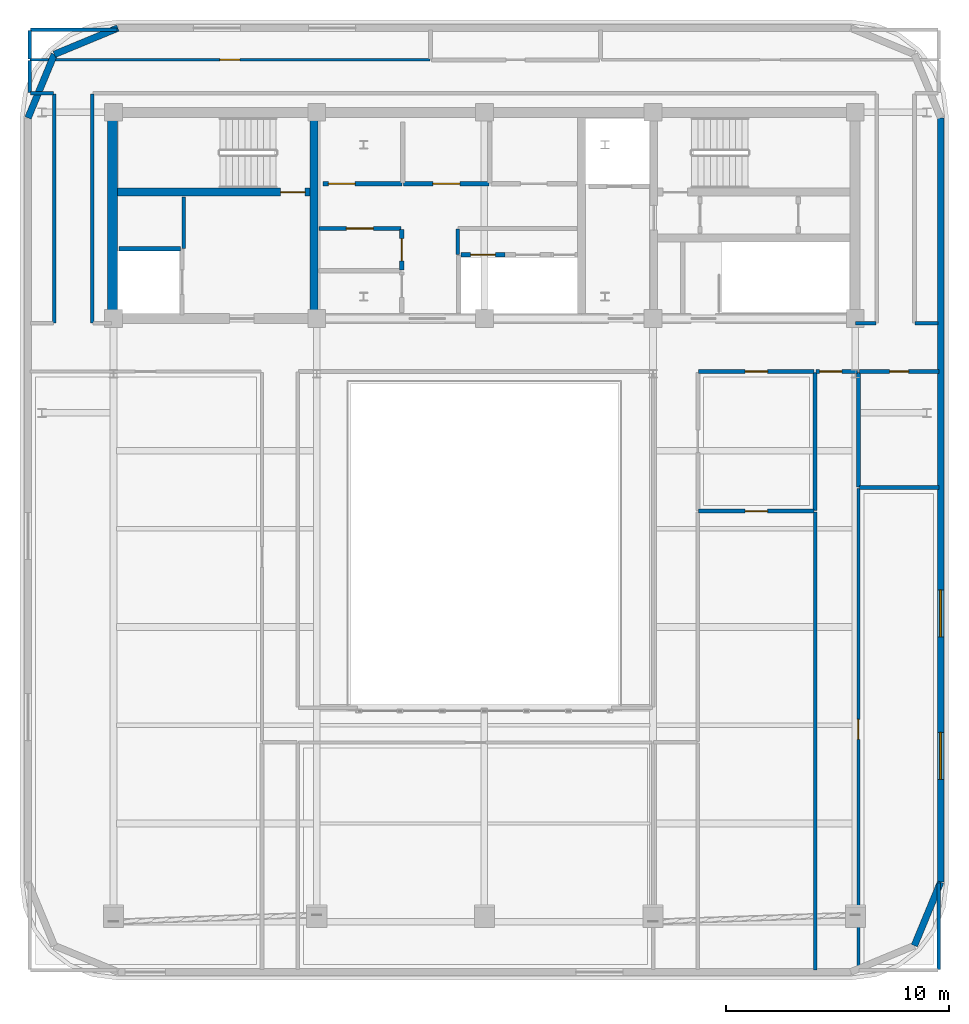
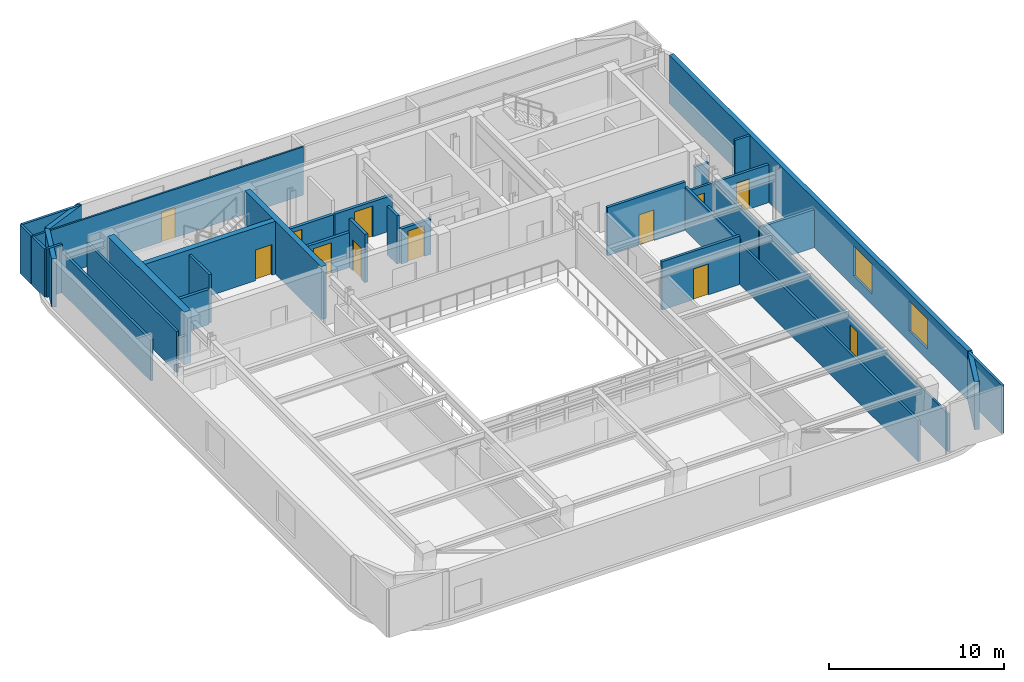
# One storey, part 7 of 11: 34 walls, 12 doors, 2 windows, 14 openings.
"""IFC4 building model written with IfcOpenShell, lengths in metres."""

from ifc_helpers import new_model, si_unit, direction, frame, frame_2d, origin, place, context, subcontext, project, spatial, rectangle, extrude, material, layer, layer_set, type_object, element, fill, save


model = new_model("IFC4")

# Units and contexts
model_context = context("Model", 3, precision=1e-05, world=origin(), true_north=direction((0.0, 1.0)))
body_context = subcontext(model_context, "Body", "Model", "MODEL_VIEW")
ifc_project = project(units=[si_unit("LENGTHUNIT", "METRE"), si_unit("AREAUNIT", "SQUARE_METRE"), si_unit("VOLUMEUNIT", "CUBIC_METRE"), si_unit("PLANEANGLEUNIT", "RADIAN"), si_unit("MASSUNIT", "GRAM", prefix="KILO")], contexts=[model_context])

# Site, building, storey
site_placement = place(None, origin())
site = spatial("IfcSite", under=ifc_project, at=site_placement, CompositionType="ELEMENT")
building_placement = place(site_placement, origin())
building = spatial("IfcBuilding", under=site, at=building_placement, Name="Zarnavel Station Tower", CompositionType="ELEMENT")
storey_placement = place(building_placement, frame((0.0, 0.0, 276.89990234375)))
storey = spatial("IfcBuildingStorey", under=building, at=storey_placement, Name="L75", CompositionType="ELEMENT", Elevation=276.89990234375)

# Wall
ifc_material_1 = material(Name="Concrete C50/60", Category="concrete")
ifc_layer_1 = layer(ifc_material_1, 0.35009765625)
ifc_layer_set_1 = layer_set([ifc_layer_1], Name="CW_350")
wall_type_1 = type_object("IfcWallType", Name="CW_350", PredefinedType="SHEAR", material=ifc_layer_set_1)
wall_1_placement = place(storey_placement, frame((21.179931640625, 28.044921875, 0.0), z_axis=(0.0, 0.0, 1.0), x_axis=(0.0, 1.0, 0.0)))
element("IfcWall", 1, at=wall_1_placement, inside=storey, type_object=wall_type_1, Name="L75 Rear Core Shear Wall DIV-W", PredefinedType="SHEAR", context=body_context, shape_type="SweptSolid", body=[
    extrude(rectangle(XDim=8.780029296875, YDim=0.35009765625, at=frame_2d((4.39013671875, 0.0))), origin(), (0.0, 0.0, 1.0), 3.7001953125),
])

# Wall, opening, door
wall_2_placement = place(storey_placement, frame((21.0048828125, 33.47998046875, 0.0), z_axis=(0.0, 0.0, 1.0), x_axis=(-1.0, 0.0, 0.0)))
wall_2 = element("IfcWall", 2, at=wall_2_placement, inside=storey, type_object=wall_type_1, Name="L75 Rear Core Shear Wall DIV-H1", PredefinedType="SHEAR", context=body_context, shape_type="SweptSolid", body=[
    extrude(rectangle(XDim=8.6298828125, YDim=0.35009765625, at=frame_2d((4.31494140625, 0.0))), origin(), (0.0, 0.0, 1.0), 3.7001953125),
])
opening_1_placement = place(wall_2_placement, frame((0.219970703125, 0.0, 0.0)))
opening_1 = element("IfcOpeningElement", 3, at=opening_1_placement, cuts=wall_2, Name="Opening FD01", PredefinedType="OPENING", context=body_context, shape_type="SweptSolid", body=[
    extrude(rectangle(XDim=1.10009765625, YDim=2.14990234375, at=frame_2d((0.550048828125, 1.074951171875))), frame((0.0, 0.18505859375, 0.0), z_axis=(0.0, -1.0, 0.0), x_axis=(1.0, 0.0, 0.0)), (0.0, 0.0, 1.0), 0.3701171875),
])
ifc_material_2 = material(Name="Painted Galvanised Steel and Hardwood Leaf", Category="steel")
door_type_1 = type_object("IfcDoorType", Name="ID_STAIR_1100", OperationType="NOTDEFINED", PredefinedType="DOOR", material=ifc_material_2)
door_1_placement = place(opening_1_placement, origin())
door_1 = element("IfcDoor", 4, at=door_1_placement, inside=storey, type_object=door_type_1, Name="L75 Stair ST1 Lobby Fire Door", OperationType="SINGLE_SWING_LEFT", OverallHeight=2.14990234375, OverallWidth=1.10009765625, PredefinedType="DOOR", context=body_context, shape_type="SweptSolid", body=[
    extrude(rectangle(XDim=1.10009765625, YDim=2.14990234375, at=frame_2d((0.550048828125, 1.074951171875))), frame((0.0, 0.02490234375, 0.0), z_axis=(0.0, -1.0, 0.0), x_axis=(1.0, 0.0, 0.0)), (0.0, 0.0, 1.0), 0.050048828125),
])
fill(opening_1, door_1)

# Walls
ifc_material_3 = material(Name="Concrete C50/60", Category="concrete")
ifc_layer_2 = layer(ifc_material_3, 0.449951171875)
ifc_layer_set_2 = layer_set([ifc_layer_2], Name="CW_450")
wall_type_2 = type_object("IfcWallType", Name="CW_450", PredefinedType="SHEAR", material=ifc_layer_set_2)
wall_3_placement = place(storey_placement, frame((12.14990234375, 28.044921875, 0.0), z_axis=(0.0, 0.0, 1.0), x_axis=(0.0, 1.0, 0.0)))
element("IfcWall", 5, at=wall_3_placement, inside=storey, type_object=wall_type_2, Name="L75 Rear Core Shear Wall W", PredefinedType="SHEAR", context=body_context, shape_type="SweptSolid", body=[
    extrude(rectangle(XDim=8.780029296875, YDim=0.449951171875, at=frame_2d((4.39013671875, 0.0))), origin(), (0.0, 0.0, 1.0), 3.7001953125),
])
ifc_material_4 = material(Name="Precast concrete C45/55 (Dark Basalt Finish)", Category="masonry")
ifc_layer_3 = layer(ifc_material_4, 0.300048828125)
ifc_layer_set_3 = layer_set([ifc_layer_3], Name="EW_BASALT_300")
wall_type_3 = type_object("IfcWallType", Name="EW_BASALT_300", PredefinedType="SOLIDWALL", material=ifc_layer_set_3)
wall_4_placement = place(storey_placement, frame((49.219970703125, 2.60009765625, 0.0), z_axis=(0.0, 0.0, 1.0), x_axis=(-0.382676475685, -0.923882414032, 0.0)))
element("IfcWall", 6, at=wall_4_placement, inside=storey, type_object=wall_type_3, Name="L75 Exterior Basalt Masonry Frame Wall 02", PredefinedType="SOLIDWALL", context=body_context, shape_type="SweptSolid", body=[
    extrude(rectangle(XDim=3.076904296875, YDim=0.300048828125, at=frame_2d((1.53857421875, 0.0))), origin(), (0.0, 0.0, 1.0), 3.380126953125),
])

# Wall, openings, windows
wall_5_placement = place(storey_placement, frame((49.219970703125, 36.800048828125, 0.0), z_axis=(0.0, 0.0, 1.0), x_axis=(0.0, -1.0, 0.0)))
wall_5 = element("IfcWall", 7, at=wall_5_placement, inside=storey, type_object=wall_type_3, Name="L75 Exterior Basalt Masonry Frame Wall 03", PredefinedType="SOLIDWALL", context=body_context, shape_type="SweptSolid", body=[
    extrude(rectangle(XDim=34.199951171875, YDim=0.300048828125, at=frame_2d((17.10009765625, 0.0))), origin(), (0.0, 0.0, 1.0), 3.380126953125),
])
opening_2_placement = place(wall_5_placement, frame((21.126708984375, 0.0, 0.75)))
opening_2 = element("IfcOpeningElement", 8, at=opening_2_placement, cuts=wall_5, Name="Opening WN05", PredefinedType="OPENING", context=body_context, shape_type="SweptSolid", body=[
    extrude(rectangle(XDim=2.10009765625, YDim=2.10009765625, at=frame_2d((1.050048828125, 1.050048828125))), frame((0.0, 0.159912109375, 0.0), z_axis=(0.0, -1.0, 0.0), x_axis=(1.0, 0.0, 0.0)), (0.0, 0.0, 1.0), 0.320068359375),
])
opening_3_placement = place(wall_5_placement, frame((27.50341796875, 0.0, 0.75)))
opening_3 = element("IfcOpeningElement", 9, at=opening_3_placement, cuts=wall_5, Name="Opening WN05", PredefinedType="OPENING", context=body_context, shape_type="SweptSolid", body=[
    extrude(rectangle(XDim=2.10009765625, YDim=2.10009765625, at=frame_2d((1.050048828125, 1.050048828125))), frame((0.0, 0.159912109375, 0.0), z_axis=(0.0, -1.0, 0.0), x_axis=(1.0, 0.0, 0.0)), (0.0, 0.0, 1.0), 0.320068359375),
])
ifc_material_5 = material(Name="Thermally Broken Black Aluminium and Low-E Dark Glass", Category="aluminium")
window_type = type_object("IfcWindowType", Name="WN_2100x2100", PartitioningType="TRIPLE_PANEL_VERTICAL", PredefinedType="WINDOW", material=ifc_material_5)
window_1_placement = place(opening_2_placement, origin())
window_1 = element("IfcWindow", 10, at=window_1_placement, inside=storey, type_object=window_type, Name="L75 Recessed Facade Window 01", OverallHeight=2.10009765625, OverallWidth=2.10009765625, PartitioningType="SINGLE_PANEL", PredefinedType="WINDOW", context=body_context, shape_type="SweptSolid", body=[
    extrude(rectangle(XDim=2.10009765625, YDim=2.10009765625, at=frame_2d((1.050048828125, 1.050048828125))), frame((0.0, 0.030029296875, 0.0), z_axis=(0.0, -1.0, 0.0), x_axis=(1.0, 0.0, 0.0)), (0.0, 0.0, 1.0), 0.06005859375),
])
fill(opening_2, window_1)
window_2_placement = place(opening_3_placement, origin())
window_2 = element("IfcWindow", 11, at=window_2_placement, inside=storey, type_object=window_type, Name="L75 Recessed Facade Window 02", OverallHeight=2.10009765625, OverallWidth=2.10009765625, PartitioningType="SINGLE_PANEL", PredefinedType="WINDOW", context=body_context, shape_type="SweptSolid", body=[
    extrude(rectangle(XDim=2.10009765625, YDim=2.10009765625, at=frame_2d((1.050048828125, 1.050048828125))), frame((0.0, 0.030029296875, 0.0), z_axis=(0.0, -1.0, 0.0), x_axis=(1.0, 0.0, 0.0)), (0.0, 0.0, 1.0), 0.06005859375),
])
fill(opening_3, window_2)

# Walls
for number, where, z_axis, x_axis, name in (
    (12, (9.557373046875, 39.642578125, 0.0), (0.0, 0.0, 1.0), (0.923870793506, 0.382704529509, 0.0), "L75 Exterior Basalt Masonry Frame Wall 07"),
    (13, (8.3798828125, 36.800048828125, 0.0), (0.0, 0.0, 1.0), (0.382704529509, 0.923870793506, 0.0), "L75 Exterior Basalt Masonry Frame Wall 08"),
):
    element("IfcWall", number, at=place(storey_placement, frame(where, z_axis=z_axis, x_axis=x_axis)), inside=storey, type_object=wall_type_3, Name=name, PredefinedType="SOLIDWALL", context=body_context, shape_type="SweptSolid", body=[
        extrude(rectangle(XDim=3.07666015625, YDim=0.300048828125, at=frame_2d((1.538330078125, 0.0))), origin(), (0.0, 0.0, 1.0), 3.380126953125),
    ])

# Wall, opening, door
ifc_material_6 = material(Name="Gypsum Twin-Stud Acoustic Fire Partition", Category="concrete")
ifc_layer_4 = layer(ifc_material_6, 0.159912109375)
ifc_layer_set_4 = layer_set([ifc_layer_4], Name="PT_DEMISE_160")
wall_type_4 = type_object("IfcWallType", Name="PT_DEMISE_160", PredefinedType="PARTITIONING", material=ifc_layer_set_4)
wall_6_placement = place(storey_placement, frame((43.639892578125, 25.449951171875, 0.0), z_axis=(0.0, 0.0, 1.0), x_axis=(1.0, 0.0, 0.0)))
wall_6 = element("IfcWall", 14, at=wall_6_placement, inside=storey, type_object=wall_type_4, Name="L75 Partition COR-S-SPDR", PredefinedType="PARTITIONING", context=body_context, shape_type="SweptSolid", body=[
    extrude(rectangle(XDim=1.860107421875, YDim=0.159912109375, at=frame_2d((0.93017578125, 0.0))), origin(), (0.0, 0.0, 1.0), 2.66015625),
])
opening_4_placement = place(wall_6_placement, frame((0.164306640625, 0.0, 0.0)))
opening_4 = element("IfcOpeningElement", 15, at=opening_4_placement, cuts=wall_6, Name="Opening FD02", PredefinedType="OPENING", context=body_context, shape_type="SweptSolid", body=[
    extrude(rectangle(XDim=1.0, YDim=2.14990234375, at=frame_2d((0.5, 1.074951171875))), frame((0.0, 0.08984375, 0.0), z_axis=(0.0, -1.0, 0.0), x_axis=(1.0, 0.0, 0.0)), (0.0, 0.0, 1.0), 0.179931640625),
])
ifc_material_7 = material(Name="Painted Galvanised Steel and Hardwood Leaf", Category="steel")
door_type_2 = type_object("IfcDoorType", Name="ID_ENTRY_1000", OperationType="NOTDEFINED", PredefinedType="DOOR", material=ifc_material_7)
door_2_placement = place(opening_4_placement, origin())
door_2 = element("IfcDoor", 16, at=door_2_placement, inside=storey, type_object=door_type_2, Name="L75 Door COR-S-SPDR", OperationType="SINGLE_SWING_RIGHT", OverallHeight=2.14990234375, OverallWidth=1.0, PredefinedType="DOOR", context=body_context, shape_type="SweptSolid", body=[
    extrude(rectangle(XDim=1.0, YDim=2.14990234375, at=frame_2d((0.5, 1.074951171875))), frame((0.0, 0.02490234375, 0.0), z_axis=(0.0, -1.0, 0.0), x_axis=(1.0, 0.0, 0.0)), (0.0, 0.0, 1.0), 0.050048828125),
])
fill(opening_4, door_2)

# Walls
wall_7_placement = place(storey_placement, frame((43.60009765625, -1.340087890625, 0.0), z_axis=(0.0, 0.0, 1.0), x_axis=(0.0, 1.0, 0.0)))
element("IfcWall", 17, at=wall_7_placement, inside=storey, type_object=wall_type_4, Name="L75 Partition SSTR-SPDR", PredefinedType="PARTITIONING", context=body_context, shape_type="SweptSolid", body=[
    extrude(rectangle(XDim=20.5, YDim=0.159912109375, at=frame_2d((10.25, 0.0))), origin(), (0.0, 0.0, 1.0), 2.860107421875),
])
wall_8_placement = place(storey_placement, frame((15.35009765625, 30.9599609375, 0.0), z_axis=(0.0, 0.0, 1.0), x_axis=(0.0, 1.0, 0.0)))
element("IfcWall", 18, at=wall_8_placement, inside=storey, type_object=wall_type_4, Name="L75 Enclosure Wall FFL1", PredefinedType="PARTITIONING", context=body_context, shape_type="SweptSolid", body=[
    extrude(rectangle(XDim=2.31005859375, YDim=0.159912109375, at=frame_2d((1.155029296875, 0.0))), origin(), (0.0, 0.0, 1.0), 3.380126953125),
])
wall_9_placement = place(storey_placement, frame((27.60009765625, 30.679931640625, 0.0), z_axis=(0.0, 0.0, 1.0), x_axis=(0.0, 1.0, 0.0)))
element("IfcWall", 19, at=wall_9_placement, inside=storey, type_object=wall_type_4, Name="L75 Enclosure Wall LLOBS", PredefinedType="PARTITIONING", context=body_context, shape_type="SweptSolid", body=[
    extrude(rectangle(XDim=1.14013671875, YDim=0.159912109375, at=frame_2d((0.570068359375, 0.0))), origin(), (0.0, 0.0, 1.0), 3.380126953125),
])
wall_10_placement = place(storey_placement, frame((45.409912109375, 27.60009765625, 0.0), z_axis=(0.0, 0.0, 1.0), x_axis=(1.0, 0.0, 0.0)))
element("IfcWall", 20, at=wall_10_placement, inside=storey, type_object=wall_type_4, Name="L75 Enclosure Wall COR-S", PredefinedType="PARTITIONING", context=body_context, shape_type="SweptSolid", body=[
    extrude(rectangle(XDim=0.91015625, YDim=0.159912109375, at=frame_2d((0.455078125, 0.0))), origin(), (0.0, 0.0, 1.0), 2.4501953125),
])
wall_11_placement = place(storey_placement, frame((48.080078125, 27.60009765625, 0.0), z_axis=(0.0, 0.0, 1.0), x_axis=(1.0, 0.0, 0.0)))
element("IfcWall", 21, at=wall_11_placement, inside=storey, type_object=wall_type_4, Name="L75 Enclosure Wall COR-S", PredefinedType="PARTITIONING", context=body_context, shape_type="SweptSolid", body=[
    extrude(rectangle(XDim=1.030029296875, YDim=0.159912109375, at=frame_2d((0.51513671875, 0.0))), origin(), (0.0, 0.0, 1.0), 3.380126953125),
])
for number, where, z_axis, x_axis, name in (
    (22, (9.550048828125, 27.6298828125, 0.0), (0.0, 0.0, 1.0), (0.0, 1.0, 0.0), "L75 Enclosure Wall COR-W"),
    (23, (11.25, 27.6298828125, 0.0), (0.0, 0.0, 1.0), (0.0, 1.0, 0.0), "L75 Enclosure Wall COR-W"),
):
    element("IfcWall", number, at=place(storey_placement, frame(where, z_axis=z_axis, x_axis=x_axis)), inside=storey, type_object=wall_type_4, Name=name, PredefinedType="PARTITIONING", context=body_context, shape_type="SweptSolid", body=[
        extrude(rectangle(XDim=10.240234375, YDim=0.159912109375, at=frame_2d((5.1201171875, 0.0))), origin(), (0.0, 0.0, 1.0), 2.860107421875),
    ])
wall_12_placement = place(storey_placement, frame((8.489990234375, 37.89990234375, 0.0), z_axis=(0.0, 0.0, 1.0), x_axis=(1.0, 0.0, 0.0)))
element("IfcWall", 24, at=wall_12_placement, inside=storey, type_object=wall_type_4, Name="L75 Enclosure Wall COR-N", PredefinedType="PARTITIONING", context=body_context, shape_type="SweptSolid", body=[
    extrude(rectangle(XDim=1.030029296875, YDim=0.159912109375, at=frame_2d((0.51513671875, 0.0))), origin(), (0.0, 0.0, 1.0), 3.380126953125),
])
wall_13_placement = place(storey_placement, frame((8.4599609375, 37.929931640625, 0.0), z_axis=(0.0, 0.0, 1.0), x_axis=(0.0, 1.0, 0.0)))
element("IfcWall", 25, at=wall_13_placement, inside=storey, type_object=wall_type_4, Name="L75 Enclosure Wall COR-N", PredefinedType="PARTITIONING", context=body_context, shape_type="SweptSolid", body=[
    extrude(rectangle(XDim=1.440185546875, YDim=0.159912109375, at=frame_2d((0.72021484375, 0.0))), origin(), (0.0, 0.0, 1.0), 3.380126953125),
])
wall_14_placement = place(storey_placement, frame((8.489990234375, 40.739990234375, 0.0), z_axis=(0.0, 0.0, 1.0), x_axis=(1.0, 0.0, 0.0)))
element("IfcWall", 26, at=wall_14_placement, inside=storey, type_object=wall_type_4, Name="L75 Enclosure Wall NSTD", PredefinedType="PARTITIONING", context=body_context, shape_type="SweptSolid", body=[
    extrude(rectangle(XDim=3.880126953125, YDim=0.159912109375, at=frame_2d((1.93994140625, 0.0))), origin(), (0.0, 0.0, 1.0), 3.380126953125),
])
wall_15_placement = place(storey_placement, frame((8.4599609375, 39.429931640625, 0.0), z_axis=(0.0, 0.0, 1.0), x_axis=(0.0, 1.0, 0.0)))
element("IfcWall", 27, at=wall_15_placement, inside=storey, type_object=wall_type_4, Name="L75 Enclosure Wall NSTD", PredefinedType="PARTITIONING", context=body_context, shape_type="SweptSolid", body=[
    extrude(rectangle(XDim=1.280029296875, YDim=0.159912109375, at=frame_2d((0.64013671875, 0.0))), origin(), (0.0, 0.0, 1.0), 3.380126953125),
])
wall_16_placement = place(storey_placement, frame((49.139892578125, -1.31005859375, 0.0), z_axis=(0.0, 0.0, 1.0), x_axis=(0.0, 1.0, 0.0)))
element("IfcWall", 28, at=wall_16_placement, inside=storey, type_object=wall_type_4, Name="L75 Enclosure Wall SLGN", PredefinedType="PARTITIONING", context=body_context, shape_type="SweptSolid", body=[
    extrude(rectangle(XDim=3.880126953125, YDim=0.159912109375, at=frame_2d((1.93994140625, 0.0))), origin(), (0.0, 0.0, 1.0), 3.380126953125),
])

# Wall, opening, door
ifc_material_8 = material(Name="Gypsum Metal-Stud Interior Partition", Category="concrete")
ifc_layer_5 = layer(ifc_material_8, 0.1201171875)
ifc_layer_set_5 = layer_set([ifc_layer_5], Name="PT_ROOM_120")
wall_type_5 = type_object("IfcWallType", Name="PT_ROOM_120", PredefinedType="PARTITIONING", material=ifc_layer_set_5)
wall_17_placement = place(storey_placement, frame((8.4599609375, 39.39990234375, 0.0), z_axis=(0.0, 0.0, 1.0), x_axis=(1.0, 0.0, 0.0)))
wall_17 = element("IfcWall", 29, at=wall_17_placement, inside=storey, type_object=wall_type_5, Name="L75 Partition COR-N-NSTD", PredefinedType="PARTITIONING", context=body_context, shape_type="SweptSolid", body=[
    extrude(rectangle(XDim=17.900146484375, YDim=0.1201171875, at=frame_2d((8.9501953125, 0.0))), origin(), (0.0, 0.0, 1.0), 3.380126953125),
])
opening_5_placement = place(wall_17_placement, frame((8.5, 0.0, 0.0)))
opening_5 = element("IfcOpeningElement", 30, at=opening_5_placement, cuts=wall_17, Name="Opening ID01", PredefinedType="OPENING", context=body_context, shape_type="SweptSolid", body=[
    extrude(rectangle(XDim=0.89990234375, YDim=2.10009765625, at=frame_2d((0.449951171875, 1.050048828125))), frame((0.0, 0.070068359375, 0.0), z_axis=(0.0, -1.0, 0.0), x_axis=(1.0, 0.0, 0.0)), (0.0, 0.0, 1.0), 0.14013671875),
])
ifc_material_9 = material(Name="Painted Galvanised Steel and Hardwood Leaf", Category="steel")
door_type_3 = type_object("IfcDoorType", Name="ID_ROOM_900", OperationType="NOTDEFINED", PredefinedType="DOOR", material=ifc_material_9)
door_3_placement = place(opening_5_placement, origin())
door_3 = element("IfcDoor", 31, at=door_3_placement, inside=storey, type_object=door_type_3, Name="L75 Door COR-N-NSTD", OperationType="SINGLE_SWING_LEFT", OverallHeight=2.10009765625, OverallWidth=0.89990234375, PredefinedType="DOOR", context=body_context, shape_type="SweptSolid", body=[
    extrude(rectangle(XDim=0.89990234375, YDim=2.10009765625, at=frame_2d((0.449951171875, 1.050048828125))), frame((0.0, 0.02490234375, 0.0), z_axis=(0.0, -1.0, 0.0), x_axis=(1.0, 0.0, 0.0)), (0.0, 0.0, 1.0), 0.050048828125),
])
fill(opening_5, door_3)

wall_18_placement = place(storey_placement, frame((45.5400390625, -1.340087890625, 0.0), z_axis=(0.0, 0.0, 1.0), x_axis=(0.0, 1.0, 0.0)))
wall_18 = element("IfcWall", 32, at=wall_18_placement, inside=storey, type_object=wall_type_5, Name="L75 Partition SPDR-SLGN", PredefinedType="PARTITIONING", context=body_context, shape_type="SweptSolid", body=[
    extrude(rectangle(XDim=21.550048828125, YDim=0.1201171875, at=frame_2d((10.77490234375, 0.0))), origin(), (0.0, 0.0, 1.0), 2.66015625),
])
opening_6_placement = place(wall_18_placement, frame((10.324951171875, 0.0, 0.0)))
opening_6 = element("IfcOpeningElement", 33, at=opening_6_placement, cuts=wall_18, Name="Opening ID01", PredefinedType="OPENING", context=body_context, shape_type="SweptSolid", body=[
    extrude(rectangle(XDim=0.89990234375, YDim=2.10009765625, at=frame_2d((0.449951171875, 1.050048828125))), frame((0.0, 0.070068359375, 0.0), z_axis=(0.0, -1.0, 0.0), x_axis=(1.0, 0.0, 0.0)), (0.0, 0.0, 1.0), 0.14013671875),
])
door_4_placement = place(opening_6_placement, origin())
door_4 = element("IfcDoor", 34, at=door_4_placement, inside=storey, type_object=door_type_3, Name="L75 Door SPDR-SLGN", OperationType="SINGLE_SWING_LEFT", OverallHeight=2.10009765625, OverallWidth=0.89990234375, PredefinedType="DOOR", context=body_context, shape_type="SweptSolid", body=[
    extrude(rectangle(XDim=0.89990234375, YDim=2.10009765625, at=frame_2d((0.449951171875, 1.050048828125))), frame((0.0, 0.02490234375, 0.0), z_axis=(0.0, -1.0, 0.0), x_axis=(1.0, 0.0, 0.0)), (0.0, 0.0, 1.0), 0.050048828125),
])
fill(opening_6, door_4)

# Wall
ifc_material_10 = material(Name="Precast concrete C45/55 (Fire Shaft Blockwork)", Category="masonry")
ifc_layer_6 = layer(ifc_material_10, 0.199951171875)
ifc_layer_set_6 = layer_set([ifc_layer_6], Name="PT_SHAFT_200")
wall_type_6 = type_object("IfcWallType", Name="PT_SHAFT_200", PredefinedType="PARTITIONING", material=ifc_layer_set_6)
wall_19_placement = place(storey_placement, frame((12.449951171875, 30.949951171875, 0.0), z_axis=(0.0, 0.0, 1.0), x_axis=(1.0, 0.0, 0.0)))
element("IfcWall", 35, at=wall_19_placement, inside=storey, type_object=wall_type_6, Name="L75 Lift FFL-01 North Shaft Wall", PredefinedType="PARTITIONING", context=body_context, shape_type="SweptSolid", body=[
    extrude(rectangle(XDim=2.75, YDim=0.199951171875, at=frame_2d((1.375, 0.0))), origin(), (0.0, 0.0, 1.0), 2.4501953125),
])

# Wall, opening, door
wall_20_placement = place(storey_placement, frame((27.75, 30.669921875, 0.0), z_axis=(0.0, 0.0, 1.0), x_axis=(1.0, 0.0, 0.0)))
wall_20 = element("IfcWall", 36, at=wall_20_placement, inside=storey, type_object=wall_type_6, Name="L75 Lift PL-H1 Shaft Front Wall", PredefinedType="PARTITIONING", context=body_context, shape_type="SweptSolid", body=[
    extrude(rectangle(XDim=1.97509765625, YDim=0.199951171875, at=frame_2d((0.987548828125, 0.0))), origin(), (0.0, 0.0, 1.0), 2.4501953125),
])
opening_7_placement = place(wall_20_placement, frame((0.4375, 0.0, 0.0)))
opening_7 = element("IfcOpeningElement", 37, at=opening_7_placement, cuts=wall_20, Name="Opening LD02", PredefinedType="OPENING", context=body_context, shape_type="SweptSolid", body=[
    extrude(rectangle(XDim=1.10009765625, YDim=2.14990234375, at=frame_2d((0.550048828125, 1.074951171875))), frame((0.0, 0.10986328125, 0.0), z_axis=(0.0, -1.0, 0.0), x_axis=(1.0, 0.0, 0.0)), (0.0, 0.0, 1.0), 0.219970703125),
])
ifc_material_11 = material(Name="Painted Galvanised Steel and Hardwood Leaf", Category="steel")
door_type_4 = type_object("IfcDoorType", Name="LD_PAX_1100", OperationType="DOUBLE_DOOR_SLIDING", PredefinedType="DOOR", material=ifc_material_11)
door_5_placement = place(opening_7_placement, origin())
door_5 = element("IfcDoor", 38, at=door_5_placement, inside=storey, type_object=door_type_4, Name="L75 Lift PL-H1 Sliding Landing Door", OperationType="DOUBLE_DOOR_SLIDING", OverallHeight=2.14990234375, OverallWidth=1.10009765625, PredefinedType="DOOR", context=body_context, shape_type="SweptSolid", body=[
    extrude(rectangle(XDim=1.10009765625, YDim=2.14990234375, at=frame_2d((0.550048828125, 1.074951171875))), frame((0.0, 0.02490234375, 0.0), z_axis=(0.0, -1.0, 0.0), x_axis=(1.0, 0.0, 0.0)), (0.0, 0.0, 1.0), 0.050048828125),
])
fill(opening_7, door_5)

wall_21_placement = place(storey_placement, frame((21.39990234375, 31.85009765625, 0.0), z_axis=(0.0, 0.0, 1.0), x_axis=(1.0, 0.0, 0.0)))
wall_21 = element("IfcWall", 39, at=wall_21_placement, inside=storey, type_object=wall_type_6, Name="L75 Partition LLOB-CS2", PredefinedType="PARTITIONING", context=body_context, shape_type="SweptSolid", body=[
    extrude(rectangle(XDim=3.66015625, YDim=0.199951171875, at=frame_2d((1.830078125, 0.0))), origin(), (0.0, 0.0, 1.0), 2.4501953125),
])
opening_8_placement = place(wall_21_placement, frame((1.22998046875, 0.0, 0.0)))
opening_8 = element("IfcOpeningElement", 40, at=opening_8_placement, cuts=wall_21, Name="Opening FD03", PredefinedType="OPENING", context=body_context, shape_type="SweptSolid", body=[
    extrude(rectangle(XDim=1.199951171875, YDim=2.14990234375, at=frame_2d((0.60009765625, 1.074951171875))), frame((0.0, 0.10986328125, 0.0), z_axis=(0.0, -1.0, 0.0), x_axis=(1.0, 0.0, 0.0)), (0.0, 0.0, 1.0), 0.219970703125),
])
ifc_material_12 = material(Name="Painted Galvanised Steel and Hardwood Leaf", Category="steel")
door_type_5 = type_object("IfcDoorType", Name="ID_PLANT_1200", OperationType="NOTDEFINED", PredefinedType="DOOR", material=ifc_material_12)
door_6_placement = place(opening_8_placement, origin())
door_6 = element("IfcDoor", 41, at=door_6_placement, inside=storey, type_object=door_type_5, Name="L75 Door LLOB-CS2", OperationType="SINGLE_SWING_RIGHT", OverallHeight=2.14990234375, OverallWidth=1.199951171875, PredefinedType="DOOR", context=body_context, shape_type="SweptSolid", body=[
    extrude(rectangle(XDim=1.199951171875, YDim=2.14990234375, at=frame_2d((0.60009765625, 1.074951171875))), frame((0.0, 0.02490234375, 0.0), z_axis=(0.0, -1.0, 0.0), x_axis=(1.0, 0.0, 0.0)), (0.0, 0.0, 1.0), 0.050048828125),
])
fill(opening_8, door_6)

wall_22_placement = place(storey_placement, frame((21.590087890625, 33.85009765625, 0.0), z_axis=(0.0, 0.0, 1.0), x_axis=(1.0, 0.0, 0.0)))
wall_22 = element("IfcWall", 42, at=wall_22_placement, inside=storey, type_object=wall_type_6, Name="L75 Partition LLOB-FB2A", PredefinedType="PARTITIONING", context=body_context, shape_type="SweptSolid", body=[
    extrude(rectangle(XDim=3.52001953125, YDim=0.199951171875, at=frame_2d((1.760009765625, 0.0))), origin(), (0.0, 0.0, 1.0), 2.4501953125),
])
opening_9_placement = place(wall_22_placement, frame((0.22509765625, 0.0, 0.0)))
opening_9 = element("IfcOpeningElement", 43, at=opening_9_placement, cuts=wall_22, Name="Opening FD03", PredefinedType="OPENING", context=body_context, shape_type="SweptSolid", body=[
    extrude(rectangle(XDim=1.199951171875, YDim=2.14990234375, at=frame_2d((0.60009765625, 1.074951171875))), frame((0.0, 0.10986328125, 0.0), z_axis=(0.0, -1.0, 0.0), x_axis=(1.0, 0.0, 0.0)), (0.0, 0.0, 1.0), 0.219970703125),
])
door_7_placement = place(opening_9_placement, origin())
door_7 = element("IfcDoor", 44, at=door_7_placement, inside=storey, type_object=door_type_5, Name="L75 Door LLOB-FB2A", OperationType="SINGLE_SWING_LEFT", OverallHeight=2.14990234375, OverallWidth=1.199951171875, PredefinedType="DOOR", context=body_context, shape_type="SweptSolid", body=[
    extrude(rectangle(XDim=1.199951171875, YDim=2.14990234375, at=frame_2d((0.60009765625, 1.074951171875))), frame((0.0, 0.02490234375, 0.0), z_axis=(0.0, -1.0, 0.0), x_axis=(1.0, 0.0, 0.0)), (0.0, 0.0, 1.0), 0.050048828125),
])
fill(opening_9, door_7)

wall_23_placement = place(storey_placement, frame((25.18994140625, 33.85009765625, 0.0), z_axis=(0.0, 0.0, 1.0), x_axis=(1.0, 0.0, 0.0)))
wall_23 = element("IfcWall", 45, at=wall_23_placement, inside=storey, type_object=wall_type_6, Name="L75 Partition LLOB-FB2B", PredefinedType="PARTITIONING", context=body_context, shape_type="SweptSolid", body=[
    extrude(rectangle(XDim=3.820068359375, YDim=0.199951171875, at=frame_2d((1.91015625, 0.0))), origin(), (0.0, 0.0, 1.0), 2.4501953125),
])
opening_10_placement = place(wall_23_placement, frame((1.31005859375, 0.0, 0.0)))
opening_10 = element("IfcOpeningElement", 46, at=opening_10_placement, cuts=wall_23, Name="Opening FD03", PredefinedType="OPENING", context=body_context, shape_type="SweptSolid", body=[
    extrude(rectangle(XDim=1.199951171875, YDim=2.14990234375, at=frame_2d((0.60009765625, 1.074951171875))), frame((0.0, 0.10986328125, 0.0), z_axis=(0.0, -1.0, 0.0), x_axis=(1.0, 0.0, 0.0)), (0.0, 0.0, 1.0), 0.219970703125),
])
door_8_placement = place(opening_10_placement, origin())
door_8 = element("IfcDoor", 47, at=door_8_placement, inside=storey, type_object=door_type_5, Name="L75 Door LLOB-FB2B", OperationType="SINGLE_SWING_RIGHT", OverallHeight=2.14990234375, OverallWidth=1.199951171875, PredefinedType="DOOR", context=body_context, shape_type="SweptSolid", body=[
    extrude(rectangle(XDim=1.199951171875, YDim=2.14990234375, at=frame_2d((0.60009765625, 1.074951171875))), frame((0.0, 0.02490234375, 0.0), z_axis=(0.0, -1.0, 0.0), x_axis=(1.0, 0.0, 0.0)), (0.0, 0.0, 1.0), 0.050048828125),
])
fill(opening_10, door_8)

wall_24_placement = place(storey_placement, frame((25.10009765625, 29.989990234375, 0.0), z_axis=(0.0, 0.0, 1.0), x_axis=(0.0, 1.0, 0.0)))
wall_24 = element("IfcWall", 48, at=wall_24_placement, inside=storey, type_object=wall_type_6, Name="L75 Partition LLOBS-CS2", PredefinedType="PARTITIONING", context=body_context, shape_type="SweptSolid", body=[
    extrude(rectangle(XDim=1.820068359375, YDim=0.199951171875, at=frame_2d((0.91015625, 0.0))), origin(), (0.0, 0.0, 1.0), 3.380126953125),
])
opening_11_placement = place(wall_24_placement, frame((0.409912109375, 0.0, 0.0)))
opening_11 = element("IfcOpeningElement", 49, at=opening_11_placement, cuts=wall_24, Name="Opening FD02", PredefinedType="OPENING", context=body_context, shape_type="SweptSolid", body=[
    extrude(rectangle(XDim=1.0, YDim=2.14990234375, at=frame_2d((0.5, 1.074951171875))), frame((0.0, 0.10986328125, 0.0), z_axis=(0.0, -1.0, 0.0), x_axis=(1.0, 0.0, 0.0)), (0.0, 0.0, 1.0), 0.219970703125),
])
door_9_placement = place(opening_11_placement, origin())
door_9 = element("IfcDoor", 50, at=door_9_placement, inside=storey, type_object=door_type_2, Name="L75 Door LLOBS-CS2", OperationType="SINGLE_SWING_LEFT", OverallHeight=2.14990234375, OverallWidth=1.0, PredefinedType="DOOR", context=body_context, shape_type="SweptSolid", body=[
    extrude(rectangle(XDim=1.0, YDim=2.14990234375, at=frame_2d((0.5, 1.074951171875))), frame((0.0, 0.02490234375, 0.0), z_axis=(0.0, -1.0, 0.0), x_axis=(1.0, 0.0, 0.0)), (0.0, 0.0, 1.0), 0.050048828125),
])
fill(opening_11, door_9)

ifc_material_13 = material(Name="Moisture-Resistant Plumbing Chase Wall", Category="concrete")
ifc_layer_7 = layer(ifc_material_13, 0.179931640625)
ifc_layer_set_7 = layer_set([ifc_layer_7], Name="PW_PLUMB_180")
wall_type_7 = type_object("IfcWallType", Name="PW_PLUMB_180", PredefinedType="PLUMBINGWALL", material=ifc_layer_set_7)
wall_25_placement = place(storey_placement, frame((38.389892578125, 25.449951171875, 0.0), z_axis=(0.0, 0.0, 1.0), x_axis=(1.0, 0.0, 0.0)))
wall_25 = element("IfcWall", 51, at=wall_25_placement, inside=storey, type_object=wall_type_7, Name="L75 Partition COR-S-SKIT", PredefinedType="PLUMBINGWALL", context=body_context, shape_type="SweptSolid", body=[
    extrude(rectangle(XDim=5.170166015625, YDim=0.179931640625, at=frame_2d((2.5849609375, 0.0))), origin(), (0.0, 0.0, 1.0), 3.380126953125),
])
opening_12_placement = place(wall_25_placement, frame((2.0849609375, 0.0, 0.0)))
opening_12 = element("IfcOpeningElement", 52, at=opening_12_placement, cuts=wall_25, Name="Opening FD02", PredefinedType="OPENING", context=body_context, shape_type="SweptSolid", body=[
    extrude(rectangle(XDim=1.0, YDim=2.14990234375, at=frame_2d((0.5, 1.074951171875))), frame((0.0, 0.099853515625, 0.0), z_axis=(0.0, -1.0, 0.0), x_axis=(1.0, 0.0, 0.0)), (0.0, 0.0, 1.0), 0.199951171875),
])
door_10_placement = place(opening_12_placement, origin())
door_10 = element("IfcDoor", 53, at=door_10_placement, inside=storey, type_object=door_type_2, Name="L75 Door COR-S-SKIT", OperationType="SINGLE_SWING_LEFT", OverallHeight=2.14990234375, OverallWidth=1.0, PredefinedType="DOOR", context=body_context, shape_type="SweptSolid", body=[
    extrude(rectangle(XDim=1.0, YDim=2.14990234375, at=frame_2d((0.5, 1.074951171875))), frame((0.0, 0.02490234375, 0.0), z_axis=(0.0, -1.0, 0.0), x_axis=(1.0, 0.0, 0.0)), (0.0, 0.0, 1.0), 0.050048828125),
])
fill(opening_12, door_10)

wall_26_placement = place(storey_placement, frame((45.580078125, 25.449951171875, 0.0), z_axis=(0.0, 0.0, 1.0), x_axis=(1.0, 0.0, 0.0)))
wall_26 = element("IfcWall", 54, at=wall_26_placement, inside=storey, type_object=wall_type_7, Name="L75 Partition COR-S-SWCA", PredefinedType="PLUMBINGWALL", context=body_context, shape_type="SweptSolid", body=[
    extrude(rectangle(XDim=3.559814453125, YDim=0.179931640625, at=frame_2d((1.77978515625, 0.0))), origin(), (0.0, 0.0, 1.0), 2.66015625),
])
opening_13_placement = place(wall_26_placement, frame((1.35498046875, 0.0, 0.0)))
opening_13 = element("IfcOpeningElement", 55, at=opening_13_placement, cuts=wall_26, Name="Opening ID02", PredefinedType="OPENING", context=body_context, shape_type="SweptSolid", body=[
    extrude(rectangle(XDim=0.85009765625, YDim=2.10009765625, at=frame_2d((0.425048828125, 1.050048828125))), frame((0.0, 0.099853515625, 0.0), z_axis=(0.0, -1.0, 0.0), x_axis=(1.0, 0.0, 0.0)), (0.0, 0.0, 1.0), 0.199951171875),
])
ifc_material_14 = material(Name="Painted Galvanised Steel and Hardwood Leaf", Category="steel")
door_type_6 = type_object("IfcDoorType", Name="ID_BATH_850", OperationType="NOTDEFINED", PredefinedType="DOOR", material=ifc_material_14)
door_11_placement = place(opening_13_placement, origin())
door_11 = element("IfcDoor", 56, at=door_11_placement, inside=storey, type_object=door_type_6, Name="L75 Door COR-S-SWCA", OperationType="SINGLE_SWING_LEFT", OverallHeight=2.10009765625, OverallWidth=0.85009765625, PredefinedType="DOOR", context=body_context, shape_type="SweptSolid", body=[
    extrude(rectangle(XDim=0.85009765625, YDim=2.10009765625, at=frame_2d((0.425048828125, 1.050048828125))), frame((0.0, 0.02490234375, 0.0), z_axis=(0.0, -1.0, 0.0), x_axis=(1.0, 0.0, 0.0)), (0.0, 0.0, 1.0), 0.050048828125),
])
fill(opening_13, door_11)

wall_27_placement = place(storey_placement, frame((38.389892578125, 19.199951171875, 0.0), z_axis=(0.0, 0.0, 1.0), x_axis=(1.0, 0.0, 0.0)))
wall_27 = element("IfcWall", 57, at=wall_27_placement, inside=storey, type_object=wall_type_7, Name="L75 Partition SKIT-SSTR", PredefinedType="PLUMBINGWALL", context=body_context, shape_type="SweptSolid", body=[
    extrude(rectangle(XDim=5.170166015625, YDim=0.179931640625, at=frame_2d((2.5849609375, 0.0))), origin(), (0.0, 0.0, 1.0), 3.380126953125),
])
opening_14_placement = place(wall_27_placement, frame((2.0849609375, 0.0, 0.0)))
opening_14 = element("IfcOpeningElement", 58, at=opening_14_placement, cuts=wall_27, Name="Opening FD02", PredefinedType="OPENING", context=body_context, shape_type="SweptSolid", body=[
    extrude(rectangle(XDim=1.0, YDim=2.14990234375, at=frame_2d((0.5, 1.074951171875))), frame((0.0, 0.099853515625, 0.0), z_axis=(0.0, -1.0, 0.0), x_axis=(1.0, 0.0, 0.0)), (0.0, 0.0, 1.0), 0.199951171875),
])
door_12_placement = place(opening_14_placement, origin())
door_12 = element("IfcDoor", 59, at=door_12_placement, inside=storey, type_object=door_type_2, Name="L75 Door SKIT-SSTR", OperationType="SINGLE_SWING_RIGHT", OverallHeight=2.14990234375, OverallWidth=1.0, PredefinedType="DOOR", context=body_context, shape_type="SweptSolid", body=[
    extrude(rectangle(XDim=1.0, YDim=2.14990234375, at=frame_2d((0.5, 1.074951171875))), frame((0.0, 0.02490234375, 0.0), z_axis=(0.0, -1.0, 0.0), x_axis=(1.0, 0.0, 0.0)), (0.0, 0.0, 1.0), 0.050048828125),
])
fill(opening_14, door_12)

# Walls
wall_28_placement = place(storey_placement, frame((43.60009765625, 19.239990234375, 0.0), z_axis=(0.0, 0.0, 1.0), x_axis=(0.0, 1.0, 0.0)))
element("IfcWall", 60, at=wall_28_placement, inside=storey, type_object=wall_type_7, Name="L75 Partition SKIT-SPDR", PredefinedType="PLUMBINGWALL", context=body_context, shape_type="SweptSolid", body=[
    extrude(rectangle(XDim=6.169921875, YDim=0.179931640625, at=frame_2d((3.0849609375, 0.0))), origin(), (0.0, 0.0, 1.0), 3.010009765625),
])
wall_29_placement = place(storey_placement, frame((45.5400390625, 20.2900390625, 0.0), z_axis=(0.0, 0.0, 1.0), x_axis=(0.0, 1.0, 0.0)))
element("IfcWall", 61, at=wall_29_placement, inside=storey, type_object=wall_type_7, Name="L75 Partition SPDR-SWCA", PredefinedType="PLUMBINGWALL", context=body_context, shape_type="SweptSolid", body=[
    extrude(rectangle(XDim=5.119873046875, YDim=0.179931640625, at=frame_2d((2.56005859375, 0.0))), origin(), (0.0, 0.0, 1.0), 2.66015625),
])
wall_30_placement = place(storey_placement, frame((45.580078125, 20.25, 0.0), z_axis=(0.0, 0.0, 1.0), x_axis=(1.0, 0.0, 0.0)))
element("IfcWall", 62, at=wall_30_placement, inside=storey, type_object=wall_type_7, Name="L75 Partition SLGN-SWCA", PredefinedType="PLUMBINGWALL", context=body_context, shape_type="SweptSolid", body=[
    extrude(rectangle(XDim=3.559814453125, YDim=0.179931640625, at=frame_2d((1.77978515625, 0.0))), origin(), (0.0, 0.0, 1.0), 2.66015625),
])

save(model, "model.ifc")
